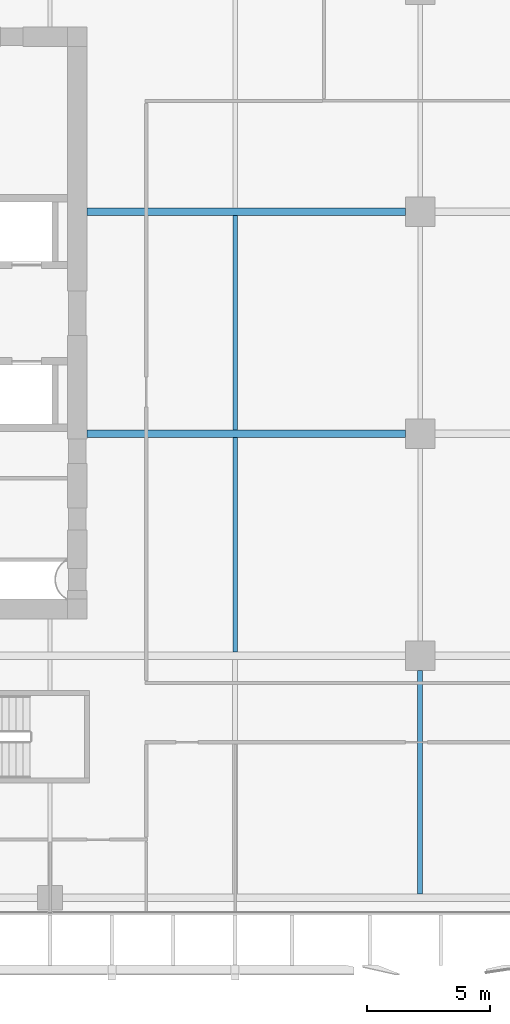
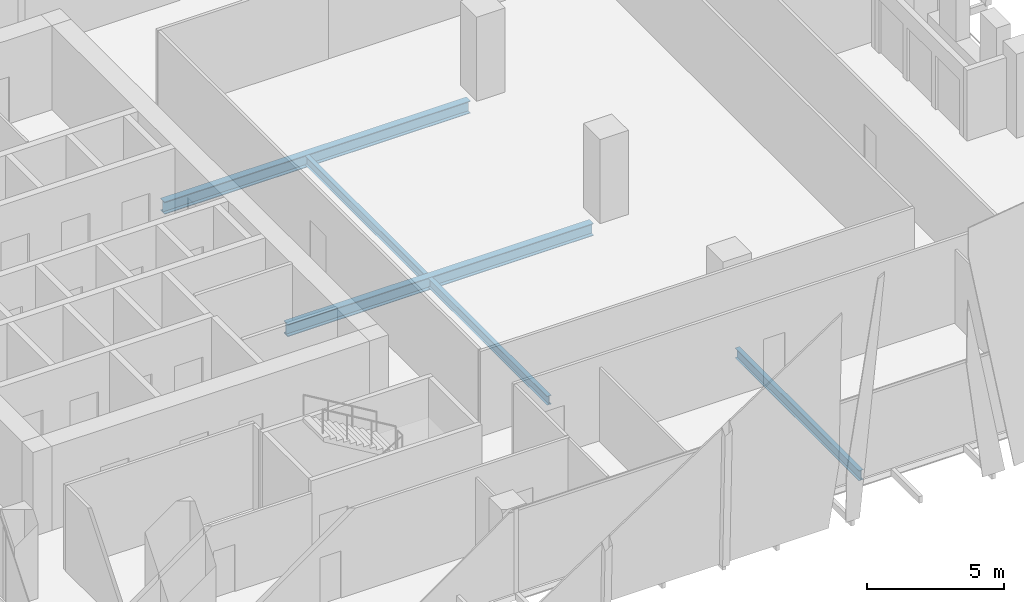
# One storey, part 8 of 35: 5 beams.
"""IFC4 building model written with IfcOpenShell, lengths in metres."""

from ifc_helpers import new_model, si_unit, direction, frame, origin, origin_2d, place, context, subcontext, project, spatial, i_section, extrude, source, transform, mapped, material, material_profile, profile_set, type_object, element, save


model = new_model("IFC4")

# Units and contexts
model_context = context("Model", 3, precision=1e-05, world=origin(), true_north=direction((0.0, 1.0)))
body_context = subcontext(model_context, "Body", "Model", "MODEL_VIEW")
ifc_project = project(units=[si_unit("LENGTHUNIT", "METRE"), si_unit("AREAUNIT", "SQUARE_METRE"), si_unit("VOLUMEUNIT", "CUBIC_METRE"), si_unit("PLANEANGLEUNIT", "RADIAN"), si_unit("MASSUNIT", "GRAM", prefix="KILO")], contexts=[model_context])

# Site, building, storey
site_placement = place(None, origin())
site = spatial("IfcSite", under=ifc_project, at=site_placement, CompositionType="ELEMENT")
building_placement = place(site_placement, origin())
building = spatial("IfcBuilding", under=site, at=building_placement, Name="Khomas Fold Tower", CompositionType="ELEMENT")
storey_placement = place(building_placement, frame((0.0, 0.0, 200.699951171875)))
storey = spatial("IfcBuildingStorey", under=building, at=storey_placement, Name="L44", CompositionType="ELEMENT", Elevation=200.699951171875)

# Beams
ifc_material_1 = material(Name="Steel S355", Category="steel")
ifc_material_profile_1 = material_profile(ifc_material_1, i_section(OverallWidth=0.179931640625, OverallDepth=0.39990234375, WebThickness=0.008544921875, FlangeThickness=0.013427734375, at=origin_2d()), Name="IPE 400")
ifc_profile_set_1 = profile_set([ifc_material_profile_1], Name="Steel S355")
beam_type_1 = type_object("IfcBeamType", Name="IPE 400 beam JB3", PredefinedType="BEAM", material=ifc_profile_set_1)
shared_shape_1 = source(origin(), body_context, "Body", "SweptSolid", [
    extrude(i_section(OverallWidth=0.179931640625, OverallDepth=0.39990234375, WebThickness=0.008544921875, FlangeThickness=0.013427734375, at=origin_2d()), origin(), (0.0, 0.0, 1.0), 8.7001953125),
])
for number, where, z_axis, x_axis, name in (
    (1, (27.0, 13.64990234375, -0.449951171875), (0.0, 1.0, 0.0), (-1.0, 0.0, 0.0), "JB3"),
    (2, (27.0, 22.64990234375, -0.449951171875), (0.0, 1.0, 0.0), (-1.0, 0.0, 0.0), "JB3"),
):
    element("IfcBeam", number, at=place(storey_placement, frame(where, z_axis=z_axis, x_axis=x_axis)), inside=storey, type_object=beam_type_1, Name=name, PredefinedType="BEAM", context=body_context, shape_type="MappedRepresentation", body=[
        mapped(shared_shape_1, transform((0.0, 0.0, 0.0))),
    ])
ifc_material_2 = material(Name="Steel S355", Category="steel")
ifc_material_profile_2 = material_profile(ifc_material_2, i_section(OverallWidth=0.300048828125, OverallDepth=0.550048828125, WebThickness=0.014892578125, FlangeThickness=0.029052734375, at=origin_2d()), Name="HE 550 B")
ifc_profile_set_2 = profile_set([ifc_material_profile_2], Name="Steel S355")
beam_type_2 = type_object("IfcBeamType", Name="HE 550 B beam GB4", PredefinedType="BEAM", material=ifc_profile_set_2)
shared_shape_2 = source(origin(), body_context, "Body", "SweptSolid", [
    extrude(i_section(OverallWidth=0.300048828125, OverallDepth=0.550048828125, WebThickness=0.014892578125, FlangeThickness=0.029052734375, at=origin_2d()), origin(), (0.0, 0.0, 1.0), 12.89990234375),
])
for number, where, z_axis, x_axis, name in (
    (3, (21.0, 22.5, -0.52490234375), (1.0, 0.0, 0.0), (0.0, 1.0, 0.0), "GB4"),
    (4, (21.0, 31.5, -0.52490234375), (1.0, 0.0, 0.0), (0.0, 1.0, 0.0), "GB4"),
):
    element("IfcBeam", number, at=place(storey_placement, frame(where, z_axis=z_axis, x_axis=x_axis)), inside=storey, type_object=beam_type_2, Name=name, PredefinedType="BEAM", context=body_context, shape_type="MappedRepresentation", body=[
        mapped(shared_shape_2, transform((0.0, 0.0, 0.0))),
    ])
ifc_material_3 = material(Name="Steel S355", Category="steel")
ifc_material_profile_3 = material_profile(ifc_material_3, i_section(OverallWidth=0.18994140625, OverallDepth=0.449951171875, WebThickness=0.009521484375, FlangeThickness=0.0146484375, at=origin_2d()), Name="IPE 450")
ifc_profile_set_3 = profile_set([ifc_material_profile_3], Name="Steel S355")
beam_type_3 = type_object("IfcBeamType", Name="IPE 450 beam JB4", PredefinedType="BEAM", material=ifc_profile_set_3)
shared_shape_3 = source(origin(), body_context, "Body", "SweptSolid", [
    extrude(i_section(OverallWidth=0.18994140625, OverallDepth=0.449951171875, WebThickness=0.009521484375, FlangeThickness=0.0146484375, at=origin_2d()), origin(), (0.0, 0.0, 1.0), 9.0498046875),
])
beam_placement = place(storey_placement, frame((34.5, 3.85009765625, -0.474853515625), z_axis=(0.0, 1.0, 0.0), x_axis=(-1.0, 0.0, 0.0)))
element("IfcBeam", 5, at=beam_placement, inside=storey, type_object=beam_type_3, Name="JB4", PredefinedType="BEAM", context=body_context, shape_type="MappedRepresentation", body=[
    mapped(shared_shape_3, transform((0.0, 0.0, 0.0))),
])

save(model, "model.ifc")
